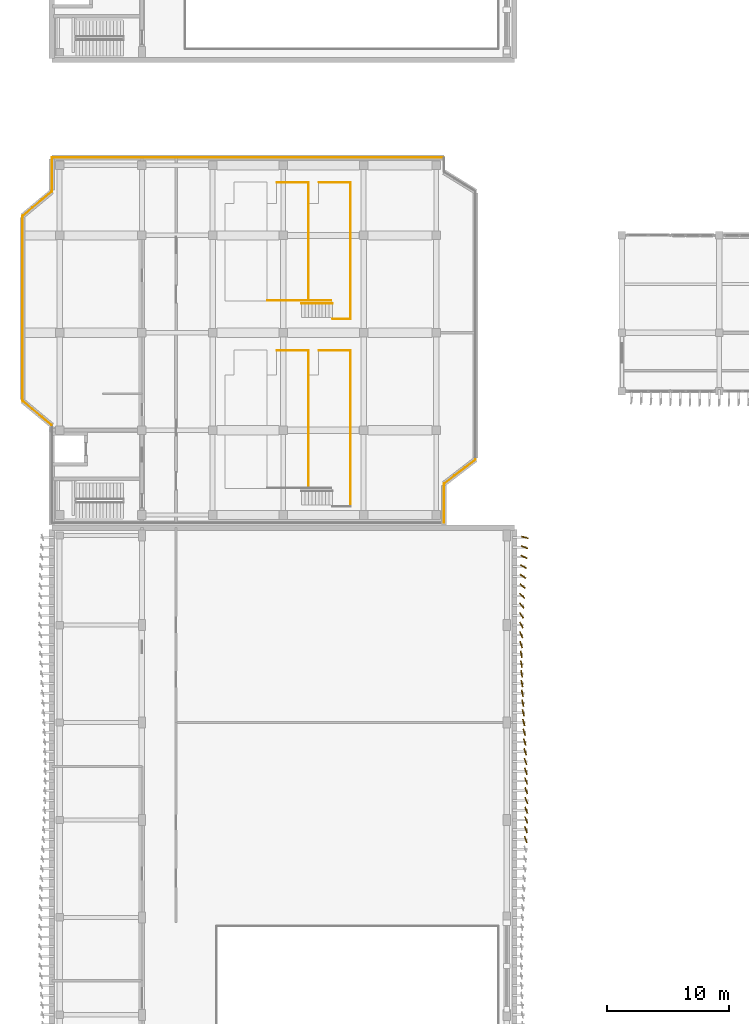
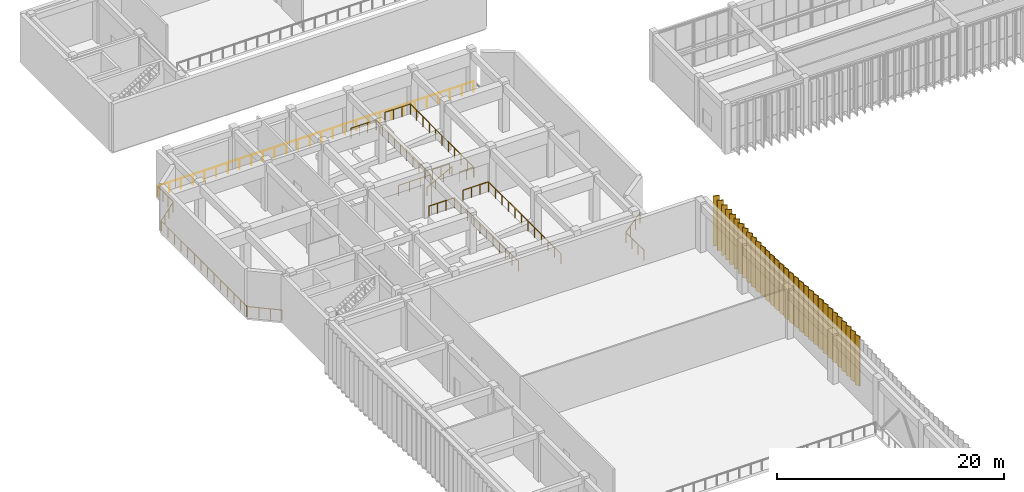
# One storey, part 55 of 64: 32 coverings, 19 railings.
"""IFC4 building model written with IfcOpenShell, lengths in metres."""

from ifc_helpers import new_model, si_unit, direction, frame, origin, origin_2d, place, context, subcontext, project, spatial, rectangle, circle, extrude, material, layer, layer_set, type_object, element, save


model = new_model("IFC4")

# Units and contexts
model_context = context("Model", 3, precision=1e-05, world=origin(), true_north=direction((0.0, 1.0)))
body_context = subcontext(model_context, "Body", "Model", "MODEL_VIEW")
ifc_project = project(units=[si_unit("LENGTHUNIT", "METRE"), si_unit("AREAUNIT", "SQUARE_METRE"), si_unit("VOLUMEUNIT", "CUBIC_METRE"), si_unit("PLANEANGLEUNIT", "RADIAN"), si_unit("MASSUNIT", "GRAM", prefix="KILO")], contexts=[model_context])

# Site, building, storey
site_placement = place(None, origin())
site = spatial("IfcSite", under=ifc_project, at=site_placement, CompositionType="ELEMENT")
building_placement = place(site_placement, origin())
building = spatial("IfcBuilding", under=site, at=building_placement, Name="Cinchona Park Media Centre", CompositionType="ELEMENT")
storey_placement = place(building_placement, frame((0.0, 0.0, 10.199951171875)))
storey = spatial("IfcBuildingStorey", under=building, at=storey_placement, Name="L02", CompositionType="ELEMENT", Elevation=10.199951171875)

# Coverings
ifc_material_1 = material(Name="Anodised Storm-Resistant Aluminium Fin", Category="aluminium")
ifc_layer = layer(ifc_material_1, 0.090087890625)
ifc_layer_set = layer_set([ifc_layer], Name="Anodised Storm-Resistant Aluminium Fin")
covering_type = type_object("IfcCoveringType", Name="CLADDING-FIN01", PredefinedType="CLADDING", material=ifc_layer_set)
for number, where, z_axis, x_axis, name in (
    (1, (46.908935546875, 38.0, 0.0), (0.0, 0.0, 1.0), (-0.334300379384, 0.942466581022, 0.0), "Twisting Vertical Facade Fin L02"),
    (2, (46.931884765625, 38.800048828125, 0.0), (0.0, 0.0, 1.0), (-0.345298198999, 0.93849302276, 0.0), "Twisting Vertical Facade Fin L02"),
    (3, (46.947998046875, 39.60009765625, 0.0), (0.0, 0.0, 1.0), (-0.352984997999, 0.935628981588, 0.0), "Twisting Vertical Facade Fin L02"),
    (4, (46.9580078125, 40.39990234375, 0.0), (0.0, 0.0, 1.0), (-0.35739011009, 0.933955196575, 0.0), "Twisting Vertical Facade Fin L02"),
    (5, (46.9599609375, 41.199951171875, 0.0), (0.0, 0.0, 1.0), (-0.358205003565, 0.933642959284, 0.0), "Twisting Vertical Facade Fin L02"),
    (6, (46.9541015625, 42.0, 0.0), (0.0, 0.0, 1.0), (-0.355596387288, 0.93463961469, 0.0), "Twisting Vertical Facade Fin L02"),
    (7, (46.94091796875, 42.800048828125, 0.0), (0.0, 0.0, 1.0), (-0.349553375421, 0.936916451842, 0.0), "Twisting Vertical Facade Fin L02"),
    (8, (46.9208984375, 43.60009765625, 0.0), (0.0, 0.0, 1.0), (-0.340215433792, 0.940347520127, 0.0), "Twisting Vertical Facade Fin L02"),
    (9, (46.89501953125, 44.39990234375, 0.0), (0.0, 0.0, 1.0), (-0.327877517976, 0.944720240709, 0.0), "Twisting Vertical Facade Fin L02"),
    (10, (46.864013671875, 45.199951171875, 0.0), (0.0, 0.0, 1.0), (-0.312998047948, 0.949753769132, 0.0), "Twisting Vertical Facade Fin L02"),
    (11, (46.827880859375, 46.0, 0.0), (0.0, 0.0, 1.0), (-0.296208192067, 0.955123398809, 0.0), "Twisting Vertical Facade Fin L02"),
    (12, (46.7900390625, 46.800048828125, 0.0), (0.0, 0.0, 1.0), (-0.277985336053, 0.960585317887, 0.0), "Twisting Vertical Facade Fin L02"),
    (13, (46.75, 47.60009765625, 0.0), (0.0, 0.0, 1.0), (-0.258819045103, 0.965925826289, 0.0), "Twisting Vertical Facade Fin L02"),
    (14, (46.7099609375, 48.39990234375, 0.0), (0.0, 0.0, 1.0), (-0.239550296042, 0.970883955819, 0.0), "Twisting Vertical Facade Fin L02"),
    (15, (46.672119140625, 49.199951171875, 0.0), (0.0, 0.0, 1.0), (-0.221037880265, 0.975265223151, 0.0), "Twisting Vertical Facade Fin L02"),
    (16, (46.635986328125, 50.0, 0.0), (0.0, 0.0, 1.0), (-0.203812623708, 0.979009915383, 0.0), "Twisting Vertical Facade Fin L02"),
    (17, (46.60498046875, 50.800048828125, 0.0), (0.0, 0.0, 1.0), (-0.188409860458, 0.982090486912, 0.0), "Twisting Vertical Facade Fin L02"),
    (18, (46.5791015625, 51.60009765625, 0.0), (0.0, 0.0, 1.0), (-0.17553855164, 0.984472557712, 0.0), "Twisting Vertical Facade Fin L02"),
    (19, (46.55908203125, 52.39990234375, 0.0), (0.0, 0.0, 1.0), (-0.165736122828, 0.986170136229, 0.0), "Twisting Vertical Facade Fin L02"),
    (20, (46.5458984375, 53.199951171875, 0.0), (0.0, 0.0, 1.0), (-0.15936430246, 0.987219843349, 0.0), "Twisting Vertical Facade Fin L02"),
    (21, (46.5400390625, 54.0, 0.0), (0.0, 0.0, 1.0), (-0.318793887648, 0.947824064475, 0.0), "Twisting Vertical Facade Fin L02"),
    (22, (46.5419921875, 54.800048828125, 0.0), (0.0, 0.0, 1.0), (-0.400029137237, 0.916502421907, 0.0), "Twisting Vertical Facade Fin L02"),
    (23, (46.552001953125, 55.60009765625, 0.0), (0.0, 0.0, 1.0), (-0.478385354909, 0.878150016915, 0.0), "Twisting Vertical Facade Fin L02"),
    (24, (46.568115234375, 56.39990234375, 0.0), (0.0, 0.0, 1.0), (-0.552955356864, 0.833210881659, 0.0), "Twisting Vertical Facade Fin L02"),
    (25, (46.591064453125, 57.199951171875, 0.0), (0.0, 0.0, 1.0), (-0.623333840501, 0.781955832056, 0.0), "Twisting Vertical Facade Fin L02"),
    (26, (46.6201171875, 58.0, 0.0), (0.0, 0.0, 1.0), (-0.688987322062, 0.724773392198, 0.0), "Twisting Vertical Facade Fin L02"),
    (27, (46.654052734375, 58.800048828125, 0.0), (0.0, 0.0, 1.0), (-0.749418134297, 0.662097017051, 0.0), "Twisting Vertical Facade Fin L02"),
    (28, (46.69091796875, 59.60009765625, 0.0), (0.0, 0.0, 1.0), (-0.804271929332, 0.594261443885, 0.0), "Twisting Vertical Facade Fin L02"),
    (29, (46.72998046875, 60.39990234375, 0.0), (0.0, 0.0, 1.0), (-0.852913627072, 0.522052051767, 0.0), "Twisting Vertical Facade Fin L02"),
    (30, (46.77001953125, 61.199951171875, 0.0), (0.0, 0.0, 1.0), (-0.895090059495, 0.445885394908, 0.0), "Twisting Vertical Facade Fin L02"),
    (31, (46.80908203125, 62.0, 0.0), (0.0, 0.0, 1.0), (-0.930481520342, 0.366338832643, 0.0), "Twisting Vertical Facade Fin L02"),
    (32, (46.845947265625, 62.800048828125, 0.0), (0.0, 0.0, 1.0), (-0.958819734868, 0.284015344704, 0.0), "Twisting Vertical Facade Fin L02"),
):
    element("IfcCovering", number, at=place(storey_placement, frame(where, z_axis=z_axis, x_axis=x_axis)), inside=storey, type_object=covering_type, Name=name, PredefinedType="CLADDING", context=body_context, shape_type="SweptSolid", body=[
        extrude(rectangle(XDim=0.56005859375, YDim=0.090087890625, at=origin_2d()), origin(), (0.0, 0.0, 1.0), 5.39990234375),
    ])

# Railings
ifc_material_2 = material(Name="Painted Steel Stairwell Guardrail", Category="steel")
railing_type_1 = type_object("IfcRailingType", Name="RAILING-GR02", PredefinedType="GUARDRAIL", material=ifc_material_2)
railing_1_placement = place(storey_placement, frame((29.073974609375, 66.8798828125, 1.0)))
element("IfcRailing", 33, at=railing_1_placement, inside=storey, type_object=railing_type_1, Name="Auditorium Tier Guardrail GR02 151", PredefinedType="GUARDRAIL", context=body_context, shape_type="SweptSolid", body=[
    extrude(circle(Radius=0.02392578125, at=origin_2d()), frame((0.0, 0.0, 1.076171875), z_axis=(0.0, 1.0, 0.0), x_axis=(-1.0, 0.0, 0.0)), (0.0, 0.0, 1.0), 11.240234375),
    extrude(circle(Radius=0.02099609375, at=origin_2d()), origin(), (0.0, 0.0, 1.0), 1.052001953125),
    extrude(circle(Radius=0.02099609375, at=origin_2d()), frame((0.0, 1.1240234375, 0.0)), (0.0, 0.0, 1.0), 1.052001953125),
    extrude(circle(Radius=0.02099609375, at=origin_2d()), frame((0.0, 2.248046875, 0.0)), (0.0, 0.0, 1.0), 1.052001953125),
    extrude(circle(Radius=0.02099609375, at=origin_2d()), frame((0.0, 3.3720703125, 0.0)), (0.0, 0.0, 1.0), 1.052001953125),
    extrude(circle(Radius=0.02099609375, at=origin_2d()), frame((0.0, 4.49609375, 0.0)), (0.0, 0.0, 1.0), 1.052001953125),
    extrude(circle(Radius=0.02099609375, at=origin_2d()), frame((0.0, 5.6201171875, 0.0)), (0.0, 0.0, 1.0), 1.052001953125),
    extrude(circle(Radius=0.02099609375, at=origin_2d()), frame((0.0, 6.744140625, 0.0)), (0.0, 0.0, 1.0), 1.052001953125),
    extrude(circle(Radius=0.02099609375, at=origin_2d()), frame((0.0, 7.8681640625, 0.0)), (0.0, 0.0, 1.0), 1.052001953125),
    extrude(circle(Radius=0.02099609375, at=origin_2d()), frame((0.0, 8.9921875, 0.0)), (0.0, 0.0, 1.0), 1.052001953125),
    extrude(circle(Radius=0.02099609375, at=origin_2d()), frame((0.0, 10.1162109375, 0.0)), (0.0, 0.0, 1.0), 1.052001953125),
    extrude(circle(Radius=0.02099609375, at=origin_2d()), frame((0.0, 11.240234375, 0.0)), (0.0, 0.0, 1.0), 1.052001953125),
])
railing_2_placement = place(storey_placement, frame((29.073974609375, 78.14990234375, 1.0)))
element("IfcRailing", 34, at=railing_2_placement, inside=storey, type_object=railing_type_1, Name="Auditorium Tier Side Guardrail GR02 153", PredefinedType="GUARDRAIL", context=body_context, shape_type="SweptSolid", body=[
    extrude(circle(Radius=0.02392578125, at=origin_2d()), frame((0.0, 0.0, 1.076171875), z_axis=(-1.0, 0.0, 0.0), x_axis=(0.0, -1.0, 0.0)), (0.0, 0.0, 1.0), 2.583984375),
    extrude(circle(Radius=0.02099609375, at=origin_2d()), origin(), (0.0, 0.0, 1.0), 1.052001953125),
    extrude(circle(Radius=0.02099609375, at=origin_2d()), frame((-0.861328125, 0.0, 0.0)), (0.0, 0.0, 1.0), 1.052001953125),
    extrude(circle(Radius=0.02099609375, at=origin_2d()), frame((-1.72265625, 0.0, 0.0)), (0.0, 0.0, 1.0), 1.052001953125),
    extrude(circle(Radius=0.02099609375, at=origin_2d()), frame((-2.583984375, 0.0, 0.0)), (0.0, 0.0, 1.0), 1.052001953125),
])
railing_3_placement = place(storey_placement, frame((32.541015625, 65.3798828125, 1.5)))
element("IfcRailing", 35, at=railing_3_placement, inside=storey, type_object=railing_type_1, Name="Auditorium Tier Guardrail GR02 154", PredefinedType="GUARDRAIL", context=body_context, shape_type="SweptSolid", body=[
    extrude(circle(Radius=0.02392578125, at=origin_2d()), frame((0.0, 0.0, 1.076171875), z_axis=(0.0, 1.0, 0.0), x_axis=(-1.0, 0.0, 0.0)), (0.0, 0.0, 1.0), 12.740234375),
    extrude(circle(Radius=0.02099609375, at=origin_2d()), origin(), (0.0, 0.0, 1.0), 1.052001953125),
    extrude(circle(Radius=0.02099609375, at=origin_2d()), frame((0.0, 1.158203125, 0.0)), (0.0, 0.0, 1.0), 1.052001953125),
    extrude(circle(Radius=0.02099609375, at=origin_2d()), frame((0.0, 2.31640625, 0.0)), (0.0, 0.0, 1.0), 1.052001953125),
    extrude(circle(Radius=0.02099609375, at=origin_2d()), frame((0.0, 3.474609375, 0.0)), (0.0, 0.0, 1.0), 1.052001953125),
    extrude(circle(Radius=0.02099609375, at=origin_2d()), frame((0.0, 4.6328125, 0.0)), (0.0, 0.0, 1.0), 1.052001953125),
    extrude(circle(Radius=0.02099609375, at=origin_2d()), frame((0.0, 5.791015625, 0.0)), (0.0, 0.0, 1.0), 1.052001953125),
    extrude(circle(Radius=0.02099609375, at=origin_2d()), frame((0.0, 6.94921875, 0.0)), (0.0, 0.0, 1.0), 1.052001953125),
    extrude(circle(Radius=0.02099609375, at=origin_2d()), frame((0.0, 8.107421875, 0.0)), (0.0, 0.0, 1.0), 1.052001953125),
    extrude(circle(Radius=0.02099609375, at=origin_2d()), frame((0.0, 9.265625, 0.0)), (0.0, 0.0, 1.0), 1.052001953125),
    extrude(circle(Radius=0.02099609375, at=origin_2d()), frame((0.0, 10.423828125, 0.0)), (0.0, 0.0, 1.0), 1.052001953125),
    extrude(circle(Radius=0.02099609375, at=origin_2d()), frame((0.0, 11.58203125, 0.0)), (0.0, 0.0, 1.0), 1.052001953125),
    extrude(circle(Radius=0.02099609375, at=origin_2d()), frame((0.0, 12.740234375, 0.0)), (0.0, 0.0, 1.0), 1.052001953125),
])
railing_4_placement = place(storey_placement, frame((32.541015625, 78.14990234375, 1.5)))
element("IfcRailing", 36, at=railing_4_placement, inside=storey, type_object=railing_type_1, Name="Auditorium Tier Side Guardrail GR02 157", PredefinedType="GUARDRAIL", context=body_context, shape_type="SweptSolid", body=[
    extrude(circle(Radius=0.02392578125, at=origin_2d()), frame((0.0, 0.0, 1.076171875), z_axis=(-1.0, 0.0, 0.0), x_axis=(0.0, -1.0, 0.0)), (0.0, 0.0, 1.0), 2.583984375),
    extrude(circle(Radius=0.02099609375, at=origin_2d()), origin(), (0.0, 0.0, 1.0), 1.052001953125),
    extrude(circle(Radius=0.02099609375, at=origin_2d()), frame((-0.861328125, 0.0, 0.0)), (0.0, 0.0, 1.0), 1.052001953125),
    extrude(circle(Radius=0.02099609375, at=origin_2d()), frame((-1.72265625, 0.0, 0.0)), (0.0, 0.0, 1.0), 1.052001953125),
    extrude(circle(Radius=0.02099609375, at=origin_2d()), frame((-2.583984375, 0.0, 0.0)), (0.0, 0.0, 1.0), 1.052001953125),
])
railing_5_placement = place(storey_placement, frame((29.073974609375, 82.280029296875, 1.0)))
element("IfcRailing", 37, at=railing_5_placement, inside=storey, type_object=railing_type_1, Name="Auditorium Tier Guardrail GR02 158", PredefinedType="GUARDRAIL", context=body_context, shape_type="SweptSolid", body=[
    extrude(circle(Radius=0.02392578125, at=origin_2d()), frame((0.0, 0.0, 1.076171875), z_axis=(0.0, 1.0, 0.0), x_axis=(-1.0, 0.0, 0.0)), (0.0, 0.0, 1.0), 9.639892578125),
    extrude(circle(Radius=0.02099609375, at=origin_2d()), origin(), (0.0, 0.0, 1.0), 1.052001953125),
    extrude(circle(Radius=0.02099609375, at=origin_2d()), frame((0.0, 1.071044921875, 0.0)), (0.0, 0.0, 1.0), 1.052001953125),
    extrude(circle(Radius=0.02099609375, at=origin_2d()), frame((0.0, 2.14208984375, 0.0)), (0.0, 0.0, 1.0), 1.052001953125),
    extrude(circle(Radius=0.02099609375, at=origin_2d()), frame((0.0, 3.21337890625, 0.0)), (0.0, 0.0, 1.0), 1.052001953125),
    extrude(circle(Radius=0.02099609375, at=origin_2d()), frame((0.0, 4.284423828125, 0.0)), (0.0, 0.0, 1.0), 1.052001953125),
    extrude(circle(Radius=0.02099609375, at=origin_2d()), frame((0.0, 5.35546875, 0.0)), (0.0, 0.0, 1.0), 1.052001953125),
    extrude(circle(Radius=0.02099609375, at=origin_2d()), frame((0.0, 6.426513671875, 0.0)), (0.0, 0.0, 1.0), 1.052001953125),
    extrude(circle(Radius=0.02099609375, at=origin_2d()), frame((0.0, 7.497802734375, 0.0)), (0.0, 0.0, 1.0), 1.052001953125),
    extrude(circle(Radius=0.02099609375, at=origin_2d()), frame((0.0, 8.56884765625, 0.0)), (0.0, 0.0, 1.0), 1.052001953125),
    extrude(circle(Radius=0.02099609375, at=origin_2d()), frame((0.0, 9.639892578125, 0.0)), (0.0, 0.0, 1.0), 1.052001953125),
])
railing_6_placement = place(storey_placement, frame((25.72705078125, 82.25, 1.0)))
element("IfcRailing", 38, at=railing_6_placement, inside=storey, type_object=railing_type_1, Name="Auditorium Tier Side Guardrail GR02 159", PredefinedType="GUARDRAIL", context=body_context, shape_type="SweptSolid", body=[
    extrude(circle(Radius=0.02392578125, at=origin_2d()), frame((0.0, 0.0, 1.076171875), z_axis=(1.0, 0.0, 0.0), x_axis=(0.0, 1.0, 0.0)), (0.0, 0.0, 1.0), 3.346923828125),
    extrude(circle(Radius=0.02099609375, at=origin_2d()), origin(), (0.0, 0.0, 1.0), 1.052001953125),
    extrude(circle(Radius=0.02099609375, at=origin_2d()), frame((1.11572265625, 0.0, 0.0)), (0.0, 0.0, 1.0), 1.052001953125),
    extrude(circle(Radius=0.02099609375, at=origin_2d()), frame((2.231201171875, 0.0, 0.0)), (0.0, 0.0, 1.0), 1.052001953125),
    extrude(circle(Radius=0.02099609375, at=origin_2d()), frame((3.346923828125, 0.0, 0.0)), (0.0, 0.0, 1.0), 1.052001953125),
])
railing_7_placement = place(storey_placement, frame((29.073974609375, 91.949951171875, 1.0)))
element("IfcRailing", 39, at=railing_7_placement, inside=storey, type_object=railing_type_1, Name="Auditorium Tier Side Guardrail GR02 160", PredefinedType="GUARDRAIL", context=body_context, shape_type="SweptSolid", body=[
    extrude(circle(Radius=0.02392578125, at=origin_2d()), frame((0.0, 0.0, 1.076171875), z_axis=(-1.0, 0.0, 0.0), x_axis=(0.0, -1.0, 0.0)), (0.0, 0.0, 1.0), 2.583984375),
    extrude(circle(Radius=0.02099609375, at=origin_2d()), origin(), (0.0, 0.0, 1.0), 1.052001953125),
    extrude(circle(Radius=0.02099609375, at=origin_2d()), frame((-0.861328125, 0.0, 0.0)), (0.0, 0.0, 1.0), 1.052001953125),
    extrude(circle(Radius=0.02099609375, at=origin_2d()), frame((-1.72265625, 0.0, 0.0)), (0.0, 0.0, 1.0), 1.052001953125),
    extrude(circle(Radius=0.02099609375, at=origin_2d()), frame((-2.583984375, 0.0, 0.0)), (0.0, 0.0, 1.0), 1.052001953125),
])
railing_8_placement = place(storey_placement, frame((32.541015625, 80.780029296875, 1.5)))
element("IfcRailing", 40, at=railing_8_placement, inside=storey, type_object=railing_type_1, Name="Auditorium Tier Guardrail GR02 161", PredefinedType="GUARDRAIL", context=body_context, shape_type="SweptSolid", body=[
    extrude(circle(Radius=0.02392578125, at=origin_2d()), frame((0.0, 0.0, 1.076171875), z_axis=(0.0, 1.0, 0.0), x_axis=(-1.0, 0.0, 0.0)), (0.0, 0.0, 1.0), 11.139892578125),
    extrude(circle(Radius=0.02099609375, at=origin_2d()), origin(), (0.0, 0.0, 1.0), 1.052001953125),
    extrude(circle(Radius=0.02099609375, at=origin_2d()), frame((0.0, 1.114013671875, 0.0)), (0.0, 0.0, 1.0), 1.052001953125),
    extrude(circle(Radius=0.02099609375, at=origin_2d()), frame((0.0, 2.22802734375, 0.0)), (0.0, 0.0, 1.0), 1.052001953125),
    extrude(circle(Radius=0.02099609375, at=origin_2d()), frame((0.0, 3.342041015625, 0.0)), (0.0, 0.0, 1.0), 1.052001953125),
    extrude(circle(Radius=0.02099609375, at=origin_2d()), frame((0.0, 4.4560546875, 0.0)), (0.0, 0.0, 1.0), 1.052001953125),
    extrude(circle(Radius=0.02099609375, at=origin_2d()), frame((0.0, 5.56982421875, 0.0)), (0.0, 0.0, 1.0), 1.052001953125),
    extrude(circle(Radius=0.02099609375, at=origin_2d()), frame((0.0, 6.683837890625, 0.0)), (0.0, 0.0, 1.0), 1.052001953125),
    extrude(circle(Radius=0.02099609375, at=origin_2d()), frame((0.0, 7.7978515625, 0.0)), (0.0, 0.0, 1.0), 1.052001953125),
    extrude(circle(Radius=0.02099609375, at=origin_2d()), frame((0.0, 8.911865234375, 0.0)), (0.0, 0.0, 1.0), 1.052001953125),
    extrude(circle(Radius=0.02099609375, at=origin_2d()), frame((0.0, 10.02587890625, 0.0)), (0.0, 0.0, 1.0), 1.052001953125),
    extrude(circle(Radius=0.02099609375, at=origin_2d()), frame((0.0, 11.139892578125, 0.0)), (0.0, 0.0, 1.0), 1.052001953125),
])
railing_9_placement = place(storey_placement, frame((29.194091796875, 82.25, 1.5)))
element("IfcRailing", 41, at=railing_9_placement, inside=storey, type_object=railing_type_1, Name="Auditorium Tier Side Guardrail GR02 162", PredefinedType="GUARDRAIL", context=body_context, shape_type="SweptSolid", body=[
    extrude(circle(Radius=0.02392578125, at=origin_2d()), frame((0.0, 0.0, 1.076171875), z_axis=(1.0, 0.0, 0.0), x_axis=(0.0, 1.0, 0.0)), (0.0, 0.0, 1.0), 1.746826171875),
    extrude(circle(Radius=0.02099609375, at=origin_2d()), origin(), (0.0, 0.0, 1.0), 1.052001953125),
    extrude(circle(Radius=0.02099609375, at=origin_2d()), frame((0.87353515625, 0.0, 0.0)), (0.0, 0.0, 1.0), 1.052001953125),
    extrude(circle(Radius=0.02099609375, at=origin_2d()), frame((1.746826171875, 0.0, 0.0)), (0.0, 0.0, 1.0), 1.052001953125),
])
railing_10_placement = place(storey_placement, frame((31.06103515625, 80.75, 1.5)))
element("IfcRailing", 42, at=railing_10_placement, inside=storey, type_object=railing_type_1, Name="Auditorium Tier Side Guardrail GR02 163", PredefinedType="GUARDRAIL", context=body_context, shape_type="SweptSolid", body=[
    extrude(circle(Radius=0.02392578125, at=origin_2d()), frame((0.0, 0.0, 1.076171875), z_axis=(1.0, 0.0, 0.0), x_axis=(0.0, 1.0, 0.0)), (0.0, 0.0, 1.0), 1.47998046875),
    extrude(circle(Radius=0.02099609375, at=origin_2d()), origin(), (0.0, 0.0, 1.0), 1.052001953125),
    extrude(circle(Radius=0.02099609375, at=origin_2d()), frame((0.739990234375, 0.0, 0.0)), (0.0, 0.0, 1.0), 1.052001953125),
    extrude(circle(Radius=0.02099609375, at=origin_2d()), frame((1.47998046875, 0.0, 0.0)), (0.0, 0.0, 1.0), 1.052001953125),
])
railing_11_placement = place(storey_placement, frame((32.541015625, 91.949951171875, 1.5)))
element("IfcRailing", 43, at=railing_11_placement, inside=storey, type_object=railing_type_1, Name="Auditorium Tier Side Guardrail GR02 164", PredefinedType="GUARDRAIL", context=body_context, shape_type="SweptSolid", body=[
    extrude(circle(Radius=0.02392578125, at=origin_2d()), frame((0.0, 0.0, 1.076171875), z_axis=(-1.0, 0.0, 0.0), x_axis=(0.0, -1.0, 0.0)), (0.0, 0.0, 1.0), 2.583984375),
    extrude(circle(Radius=0.02099609375, at=origin_2d()), origin(), (0.0, 0.0, 1.0), 1.052001953125),
    extrude(circle(Radius=0.02099609375, at=origin_2d()), frame((-0.861328125, 0.0, 0.0)), (0.0, 0.0, 1.0), 1.052001953125),
    extrude(circle(Radius=0.02099609375, at=origin_2d()), frame((-1.72265625, 0.0, 0.0)), (0.0, 0.0, 1.0), 1.052001953125),
    extrude(circle(Radius=0.02099609375, at=origin_2d()), frame((-2.583984375, 0.0, 0.0)), (0.0, 0.0, 1.0), 1.052001953125),
])
railing_12_placement = place(storey_placement, frame((40.199951171875, 64.031982421875, 0.0)))
element("IfcRailing", 44, at=railing_12_placement, inside=storey, type_object=railing_type_1, Name="Auditorium Wedge Perimeter Guardrail GR02 L02 S2", PredefinedType="GUARDRAIL", context=body_context, shape_type="SweptSolid", body=[
    extrude(circle(Radius=0.02392578125, at=origin_2d()), frame((0.0, 0.0, 1.09619140625), z_axis=(0.0, 1.0, 0.0), x_axis=(-1.0, 0.0, 0.0)), (0.0, 0.0, 1.0), 3.135986328125),
    extrude(circle(Radius=0.02099609375, at=origin_2d()), origin(), (0.0, 0.0, 1.0), 1.072021484375),
    extrude(circle(Radius=0.02099609375, at=origin_2d()), frame((0.0, 1.04541015625, 0.0)), (0.0, 0.0, 1.0), 1.072021484375),
    extrude(circle(Radius=0.02099609375, at=origin_2d()), frame((0.0, 2.090576171875, 0.0)), (0.0, 0.0, 1.0), 1.072021484375),
    extrude(circle(Radius=0.02099609375, at=origin_2d()), frame((0.0, 3.135986328125, 0.0)), (0.0, 0.0, 1.0), 1.072021484375),
])
railing_13_placement = place(storey_placement, frame((40.22509765625, 67.219970703125, 0.0)))
element("IfcRailing", 45, at=railing_13_placement, inside=storey, type_object=railing_type_1, Name="Auditorium Wedge Perimeter Guardrail GR02 L02 S3", PredefinedType="GUARDRAIL", context=body_context, shape_type="SweptSolid", body=[
    extrude(circle(Radius=0.02392578125, at=origin_2d()), frame((0.0, 0.0, 1.09619140625), z_axis=(0.792838416279, 0.609431904049, 0.0), x_axis=(-0.609431904049, 0.792838416279, 0.0)), (0.0, 0.0, 1.0), 3.216064453125),
    extrude(circle(Radius=0.02099609375, at=origin_2d()), origin(), (0.0, 0.0, 1.0), 1.072021484375),
    extrude(circle(Radius=0.02099609375, at=origin_2d()), frame((0.849853515625, 0.6533203125, 0.0)), (0.0, 0.0, 1.0), 1.072021484375),
    extrude(circle(Radius=0.02099609375, at=origin_2d()), frame((1.699951171875, 1.306640625, 0.0)), (0.0, 0.0, 1.0), 1.072021484375),
    extrude(circle(Radius=0.02099609375, at=origin_2d()), frame((2.5498046875, 1.9599609375, 0.0)), (0.0, 0.0, 1.0), 1.072021484375),
])
railing_14_placement = place(storey_placement, frame((40.16796875, 94.0, 0.0)))
element("IfcRailing", 46, at=railing_14_placement, inside=storey, type_object=railing_type_1, Name="Auditorium Wedge Perimeter Guardrail GR02 L02 S7", PredefinedType="GUARDRAIL", context=body_context, shape_type="SweptSolid", body=[
    extrude(circle(Radius=0.02392578125, at=origin_2d()), frame((0.0, 0.0, 1.09619140625), z_axis=(-1.0, 0.0, 0.0), x_axis=(0.0, -1.0, 0.0)), (0.0, 0.0, 1.0), 32.135986328125),
    extrude(circle(Radius=0.02099609375, at=origin_2d()), origin(), (0.0, 0.0, 1.0), 1.072021484375),
    extrude(circle(Radius=0.02099609375, at=origin_2d()), frame((-1.190185546875, 0.0, 0.0)), (0.0, 0.0, 1.0), 1.072021484375),
    extrude(circle(Radius=0.02099609375, at=origin_2d()), frame((-2.38037109375, 0.0, 0.0)), (0.0, 0.0, 1.0), 1.072021484375),
    extrude(circle(Radius=0.02099609375, at=origin_2d()), frame((-3.570556640625, 0.0, 0.0)), (0.0, 0.0, 1.0), 1.072021484375),
    extrude(circle(Radius=0.02099609375, at=origin_2d()), frame((-4.760986328125, 0.0, 0.0)), (0.0, 0.0, 1.0), 1.072021484375),
    extrude(circle(Radius=0.02099609375, at=origin_2d()), frame((-5.951171875, 0.0, 0.0)), (0.0, 0.0, 1.0), 1.072021484375),
    extrude(circle(Radius=0.02099609375, at=origin_2d()), frame((-7.141357421875, 0.0, 0.0)), (0.0, 0.0, 1.0), 1.072021484375),
    extrude(circle(Radius=0.02099609375, at=origin_2d()), frame((-8.33154296875, 0.0, 0.0)), (0.0, 0.0, 1.0), 1.072021484375),
    extrude(circle(Radius=0.02099609375, at=origin_2d()), frame((-9.521728515625, 0.0, 0.0)), (0.0, 0.0, 1.0), 1.072021484375),
    extrude(circle(Radius=0.02099609375, at=origin_2d()), frame((-10.7119140625, 0.0, 0.0)), (0.0, 0.0, 1.0), 1.072021484375),
    extrude(circle(Radius=0.02099609375, at=origin_2d()), frame((-11.902099609375, 0.0, 0.0)), (0.0, 0.0, 1.0), 1.072021484375),
    extrude(circle(Radius=0.02099609375, at=origin_2d()), frame((-13.092529296875, 0.0, 0.0)), (0.0, 0.0, 1.0), 1.072021484375),
    extrude(circle(Radius=0.02099609375, at=origin_2d()), frame((-14.28271484375, 0.0, 0.0)), (0.0, 0.0, 1.0), 1.072021484375),
    extrude(circle(Radius=0.02099609375, at=origin_2d()), frame((-15.472900390625, 0.0, 0.0)), (0.0, 0.0, 1.0), 1.072021484375),
    extrude(circle(Radius=0.02099609375, at=origin_2d()), frame((-16.6630859375, 0.0, 0.0)), (0.0, 0.0, 1.0), 1.072021484375),
    extrude(circle(Radius=0.02099609375, at=origin_2d()), frame((-17.853271484375, 0.0, 0.0)), (0.0, 0.0, 1.0), 1.072021484375),
    extrude(circle(Radius=0.02099609375, at=origin_2d()), frame((-19.04345703125, 0.0, 0.0)), (0.0, 0.0, 1.0), 1.072021484375),
    extrude(circle(Radius=0.02099609375, at=origin_2d()), frame((-20.23388671875, 0.0, 0.0)), (0.0, 0.0, 1.0), 1.072021484375),
    extrude(circle(Radius=0.02099609375, at=origin_2d()), frame((-21.424072265625, 0.0, 0.0)), (0.0, 0.0, 1.0), 1.072021484375),
    extrude(circle(Radius=0.02099609375, at=origin_2d()), frame((-22.6142578125, 0.0, 0.0)), (0.0, 0.0, 1.0), 1.072021484375),
    extrude(circle(Radius=0.02099609375, at=origin_2d()), frame((-23.804443359375, 0.0, 0.0)), (0.0, 0.0, 1.0), 1.072021484375),
    extrude(circle(Radius=0.02099609375, at=origin_2d()), frame((-24.99462890625, 0.0, 0.0)), (0.0, 0.0, 1.0), 1.072021484375),
    extrude(circle(Radius=0.02099609375, at=origin_2d()), frame((-26.184814453125, 0.0, 0.0)), (0.0, 0.0, 1.0), 1.072021484375),
    extrude(circle(Radius=0.02099609375, at=origin_2d()), frame((-27.375, 0.0, 0.0)), (0.0, 0.0, 1.0), 1.072021484375),
    extrude(circle(Radius=0.02099609375, at=origin_2d()), frame((-28.5654296875, 0.0, 0.0)), (0.0, 0.0, 1.0), 1.072021484375),
    extrude(circle(Radius=0.02099609375, at=origin_2d()), frame((-29.755615234375, 0.0, 0.0)), (0.0, 0.0, 1.0), 1.072021484375),
    extrude(circle(Radius=0.02099609375, at=origin_2d()), frame((-30.94580078125, 0.0, 0.0)), (0.0, 0.0, 1.0), 1.072021484375),
    extrude(circle(Radius=0.02099609375, at=origin_2d()), frame((-32.135986328125, 0.0, 0.0)), (0.0, 0.0, 1.0), 1.072021484375),
])
railing_15_placement = place(storey_placement, frame((8.0, 93.968017578125, 0.0)))
element("IfcRailing", 47, at=railing_15_placement, inside=storey, type_object=railing_type_1, Name="Auditorium Wedge Perimeter Guardrail GR02 L02 S8", PredefinedType="GUARDRAIL", context=body_context, shape_type="SweptSolid", body=[
    extrude(circle(Radius=0.02392578125, at=origin_2d()), frame((0.0, 0.0, 1.09619140625), z_axis=(0.0, -1.0, 0.0), x_axis=(1.0, 0.0, 0.0)), (0.0, 0.0, 1.0), 2.736083984375),
    extrude(circle(Radius=0.02099609375, at=origin_2d()), origin(), (0.0, 0.0, 1.0), 1.072021484375),
    extrude(circle(Radius=0.02099609375, at=origin_2d()), frame((0.0, -0.912109375, 0.0)), (0.0, 0.0, 1.0), 1.072021484375),
    extrude(circle(Radius=0.02099609375, at=origin_2d()), frame((0.0, -1.823974609375, 0.0)), (0.0, 0.0, 1.0), 1.072021484375),
    extrude(circle(Radius=0.02099609375, at=origin_2d()), frame((0.0, -2.736083984375, 0.0)), (0.0, 0.0, 1.0), 1.072021484375),
])
railing_16_placement = place(storey_placement, frame((7.97509765625, 91.179931640625, 0.0)))
element("IfcRailing", 48, at=railing_16_placement, inside=storey, type_object=railing_type_1, Name="Auditorium Wedge Perimeter Guardrail GR02 L02 S9", PredefinedType="GUARDRAIL", context=body_context, shape_type="SweptSolid", body=[
    extrude(circle(Radius=0.02392578125, at=origin_2d()), frame((0.0, 0.0, 1.09619140625), z_axis=(-0.767972723261, -0.640482549588, 0.0), x_axis=(0.640482549588, -0.767972723261, 0.0)), (0.0, 0.0, 1.0), 3.06005859375),
    extrude(circle(Radius=0.02099609375, at=origin_2d()), origin(), (0.0, 0.0, 1.0), 1.072021484375),
    extrude(circle(Radius=0.02099609375, at=origin_2d()), frame((-0.783447265625, -0.6533203125, 0.0)), (0.0, 0.0, 1.0), 1.072021484375),
    extrude(circle(Radius=0.02099609375, at=origin_2d()), frame((-1.566650390625, -1.306640625, 0.0)), (0.0, 0.0, 1.0), 1.072021484375),
    extrude(circle(Radius=0.02099609375, at=origin_2d()), frame((-2.35009765625, -1.9599609375, 0.0)), (0.0, 0.0, 1.0), 1.072021484375),
])
railing_17_placement = place(storey_placement, frame((5.60009765625, 89.16796875, 0.0)))
element("IfcRailing", 49, at=railing_17_placement, inside=storey, type_object=railing_type_1, Name="Auditorium Wedge Perimeter Guardrail GR02 L02 S10", PredefinedType="GUARDRAIL", context=body_context, shape_type="SweptSolid", body=[
    extrude(circle(Radius=0.02392578125, at=origin_2d()), frame((0.0, 0.0, 1.09619140625), z_axis=(0.0, -1.0, 0.0), x_axis=(1.0, 0.0, 0.0)), (0.0, 0.0, 1.0), 15.135986328125),
    extrude(circle(Radius=0.02099609375, at=origin_2d()), origin(), (0.0, 0.0, 1.0), 1.072021484375),
    extrude(circle(Radius=0.02099609375, at=origin_2d()), frame((0.0, -1.164306640625, 0.0)), (0.0, 0.0, 1.0), 1.072021484375),
    extrude(circle(Radius=0.02099609375, at=origin_2d()), frame((0.0, -2.32861328125, 0.0)), (0.0, 0.0, 1.0), 1.072021484375),
    extrude(circle(Radius=0.02099609375, at=origin_2d()), frame((0.0, -3.492919921875, 0.0)), (0.0, 0.0, 1.0), 1.072021484375),
    extrude(circle(Radius=0.02099609375, at=origin_2d()), frame((0.0, -4.6572265625, 0.0)), (0.0, 0.0, 1.0), 1.072021484375),
    extrude(circle(Radius=0.02099609375, at=origin_2d()), frame((0.0, -5.821533203125, 0.0)), (0.0, 0.0, 1.0), 1.072021484375),
    extrude(circle(Radius=0.02099609375, at=origin_2d()), frame((0.0, -6.98583984375, 0.0)), (0.0, 0.0, 1.0), 1.072021484375),
    extrude(circle(Radius=0.02099609375, at=origin_2d()), frame((0.0, -8.150146484375, 0.0)), (0.0, 0.0, 1.0), 1.072021484375),
    extrude(circle(Radius=0.02099609375, at=origin_2d()), frame((0.0, -9.314453125, 0.0)), (0.0, 0.0, 1.0), 1.072021484375),
    extrude(circle(Radius=0.02099609375, at=origin_2d()), frame((0.0, -10.478759765625, 0.0)), (0.0, 0.0, 1.0), 1.072021484375),
    extrude(circle(Radius=0.02099609375, at=origin_2d()), frame((0.0, -11.64306640625, 0.0)), (0.0, 0.0, 1.0), 1.072021484375),
    extrude(circle(Radius=0.02099609375, at=origin_2d()), frame((0.0, -12.807373046875, 0.0)), (0.0, 0.0, 1.0), 1.072021484375),
    extrude(circle(Radius=0.02099609375, at=origin_2d()), frame((0.0, -13.9716796875, 0.0)), (0.0, 0.0, 1.0), 1.072021484375),
    extrude(circle(Radius=0.02099609375, at=origin_2d()), frame((0.0, -15.135986328125, 0.0)), (0.0, 0.0, 1.0), 1.072021484375),
])
railing_18_placement = place(storey_placement, frame((5.625, 73.97998046875, 0.0)))
element("IfcRailing", 50, at=railing_18_placement, inside=storey, type_object=railing_type_1, Name="Auditorium Wedge Perimeter Guardrail GR02 L02 S11", PredefinedType="GUARDRAIL", context=body_context, shape_type="SweptSolid", body=[
    extrude(circle(Radius=0.02392578125, at=origin_2d()), frame((0.0, 0.0, 1.09619140625), z_axis=(0.767972723261, -0.640482549588, 0.0), x_axis=(0.640482549588, 0.767972723261, 0.0)), (0.0, 0.0, 1.0), 3.06005859375),
    extrude(circle(Radius=0.02099609375, at=origin_2d()), origin(), (0.0, 0.0, 1.0), 1.072021484375),
    extrude(circle(Radius=0.02099609375, at=origin_2d()), frame((0.783447265625, -0.6533203125, 0.0)), (0.0, 0.0, 1.0), 1.072021484375),
    extrude(circle(Radius=0.02099609375, at=origin_2d()), frame((1.566650390625, -1.306640625, 0.0)), (0.0, 0.0, 1.0), 1.072021484375),
    extrude(circle(Radius=0.02099609375, at=origin_2d()), frame((2.35009765625, -1.9599609375, 0.0)), (0.0, 0.0, 1.0), 1.072021484375),
])
ifc_material_3 = material(Name="Brushed Stainless Steel Handrail", Category="steel")
railing_type_2 = type_object("IfcRailingType", Name="RAILING-HR01", PredefinedType="HANDRAIL", material=ifc_material_3)
railing_19_placement = place(storey_placement, frame((28.52001953125, 82.010009765625, 0.150146484375)))
element("IfcRailing", 51, at=railing_19_placement, inside=storey, type_object=railing_type_2, Name="Handrail HR01 SVM5", PredefinedType="HANDRAIL", context=body_context, shape_type="SweptSolid", body=[
    extrude(circle(Radius=0.02392578125, at=origin_2d()), frame((0.0, 0.0, 0.8759765625), z_axis=(0.88150282143, 0.0, 0.472178754087), x_axis=(0.0, 1.0, 0.0)), (0.0, 0.0, 1.0), 2.85888671875),
    extrude(circle(Radius=0.02099609375, at=origin_2d()), origin(), (0.0, 0.0, 1.0), 0.851806640625),
    extrude(circle(Radius=0.02099609375, at=origin_2d()), frame((0.840087890625, 0.0, 0.449951171875)), (0.0, 0.0, 1.0), 0.851806640625),
    extrude(circle(Radius=0.02099609375, at=origin_2d()), frame((1.679931640625, 0.0, 0.89990234375)), (0.0, 0.0, 1.0), 0.851806640625),
    extrude(circle(Radius=0.02099609375, at=origin_2d()), frame((2.52001953125, 0.0, 1.349853515625)), (0.0, 0.0, 1.0), 0.851806640625),
])

save(model, "model.ifc")
